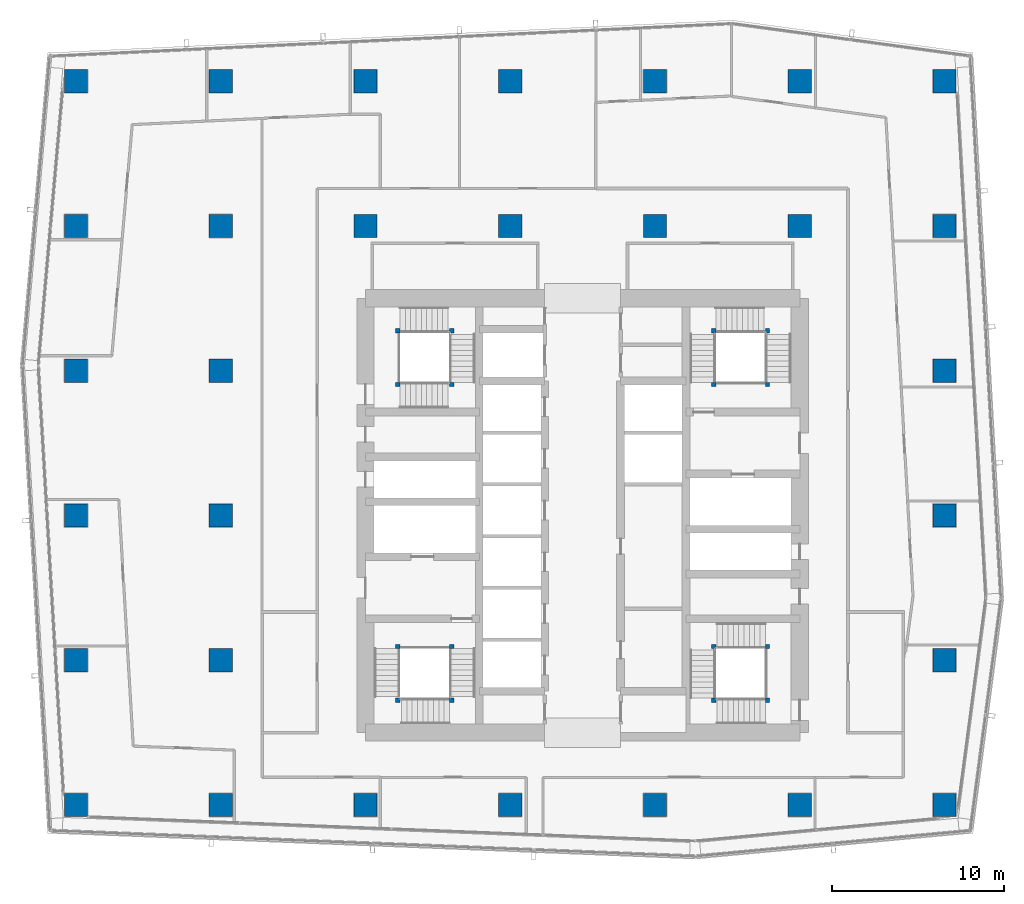
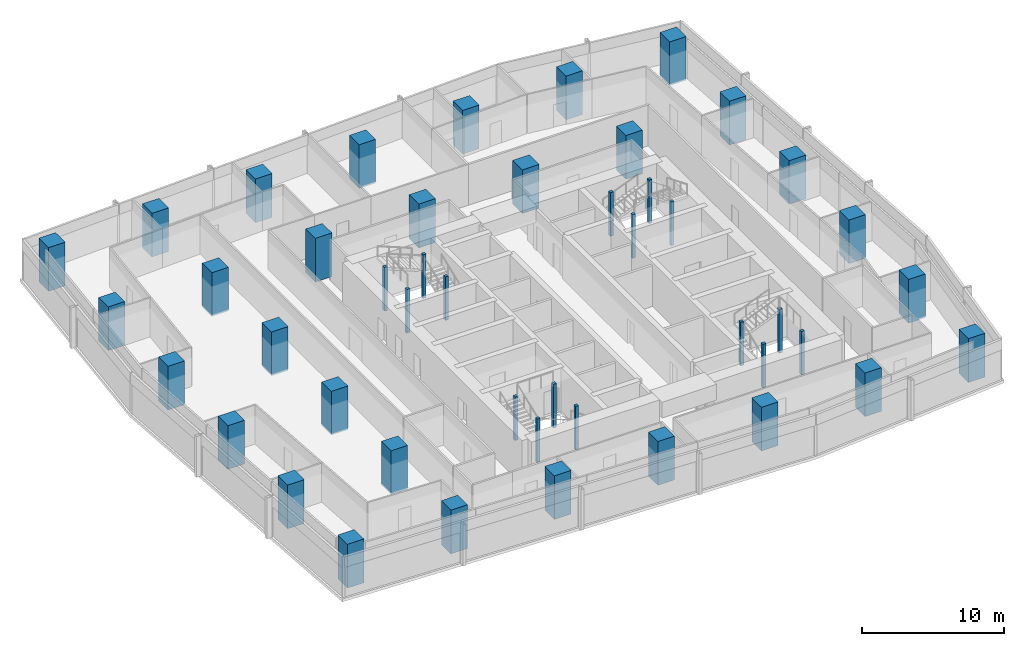
# One storey, part 1 of 38: 46 columns.
"""IFC4 building model written with IfcOpenShell, lengths in metres."""

from ifc_helpers import new_model, si_unit, direction, frame, origin, origin_2d, place, context, subcontext, project, spatial, rectangle, extrude, material, material_profile, profile_set, type_object, element, save


model = new_model("IFC4")

# Units and contexts
model_context = context("Model", 3, precision=1e-05, world=origin(), true_north=direction((0.0, 1.0)))
body_context = subcontext(model_context, "Body", "Model", "MODEL_VIEW")
ifc_project = project(units=[si_unit("LENGTHUNIT", "METRE"), si_unit("AREAUNIT", "SQUARE_METRE"), si_unit("VOLUMEUNIT", "CUBIC_METRE"), si_unit("PLANEANGLEUNIT", "RADIAN"), si_unit("MASSUNIT", "GRAM", prefix="KILO")], contexts=[model_context])

# Site, building, storey
site_placement = place(None, origin())
site = spatial("IfcSite", under=ifc_project, at=site_placement, CompositionType="ELEMENT")
building_placement = place(site_placement, origin())
building = spatial("IfcBuilding", under=site, at=building_placement, Name="Rekha Terrace Tower", CompositionType="ELEMENT")
storey_placement = place(building_placement, frame((0.0, 0.0, 202.699951171875)))
storey = spatial("IfcBuildingStorey", under=building, at=storey_placement, Name="L51", CompositionType="ELEMENT", Elevation=202.699951171875)

# Columns
ifc_material_1 = material(Name="Concrete M70", Category="concrete")
ifc_material_profile_1 = material_profile(ifc_material_1, rectangle(XDim=1.35009765625, YDim=1.35009765625, at=origin_2d()), Name="RC 1350x1350")
ifc_profile_set_1 = profile_set([ifc_material_profile_1], Name="Concrete M70")
column_type_1 = type_object("IfcColumnType", Name="C4 1350x1350 column", PredefinedType="COLUMN", material=ifc_profile_set_1)
for number, where, z_axis, x_axis, name in (
    (1, (8.39990234375, 16.800048828125, 0.0), (0.0, 0.0, 1.0), (1.0, 0.0, 0.0), "Column C4 2/C L51"),
    (2, (8.39990234375, 25.199951171875, 0.0), (0.0, 0.0, 1.0), (1.0, 0.0, 0.0), "Column C4 2/D L51"),
    (3, (8.39990234375, 33.60009765625, 0.0), (0.0, 0.0, 1.0), (1.0, 0.0, 0.0), "Column C4 2/E L51"),
    (4, (8.39990234375, 42.0, 0.0), (0.0, 0.0, 1.0), (1.0, 0.0, 0.0), "Column C4 2/F L51"),
    (5, (8.39990234375, 50.39990234375, 0.0), (0.0, 0.0, 1.0), (1.0, 0.0, 0.0), "Column C4 2/G L51"),
    (6, (8.39990234375, 58.800048828125, 0.0), (0.0, 0.0, 1.0), (1.0, 0.0, 0.0), "Column C4 2/H L51"),
    (7, (16.800048828125, 16.800048828125, 0.0), (0.0, 0.0, 1.0), (1.0, 0.0, 0.0), "Column C4 3/C L51"),
    (8, (16.800048828125, 25.199951171875, 0.0), (0.0, 0.0, 1.0), (1.0, 0.0, 0.0), "Column C4 3/D L51"),
    (9, (16.800048828125, 33.60009765625, 0.0), (0.0, 0.0, 1.0), (1.0, 0.0, 0.0), "Column C4 3/E L51"),
    (10, (16.800048828125, 42.0, 0.0), (0.0, 0.0, 1.0), (1.0, 0.0, 0.0), "Column C4 3/F L51"),
    (11, (16.800048828125, 50.39990234375, 0.0), (0.0, 0.0, 1.0), (1.0, 0.0, 0.0), "Column C4 3/G L51"),
    (12, (16.800048828125, 58.800048828125, 0.0), (0.0, 0.0, 1.0), (1.0, 0.0, 0.0), "Column C4 3/H L51"),
    (13, (25.199951171875, 16.800048828125, 0.0), (0.0, 0.0, 1.0), (1.0, 0.0, 0.0), "Column C4 4/C L51"),
    (14, (25.199951171875, 50.39990234375, 0.0), (0.0, 0.0, 1.0), (1.0, 0.0, 0.0), "Column C4 4/G L51"),
    (15, (25.199951171875, 58.800048828125, 0.0), (0.0, 0.0, 1.0), (1.0, 0.0, 0.0), "Column C4 4/H L51"),
    (16, (33.60009765625, 16.800048828125, 0.0), (0.0, 0.0, 1.0), (1.0, 0.0, 0.0), "Column C4 5/C L51"),
    (17, (33.60009765625, 50.39990234375, 0.0), (0.0, 0.0, 1.0), (1.0, 0.0, 0.0), "Column C4 5/G L51"),
    (18, (33.60009765625, 58.800048828125, 0.0), (0.0, 0.0, 1.0), (1.0, 0.0, 0.0), "Column C4 5/H L51"),
    (19, (42.0, 16.800048828125, 0.0), (0.0, 0.0, 1.0), (1.0, 0.0, 0.0), "Column C4 6/C L51"),
    (20, (42.0, 50.39990234375, 0.0), (0.0, 0.0, 1.0), (1.0, 0.0, 0.0), "Column C4 6/G L51"),
    (21, (42.0, 58.800048828125, 0.0), (0.0, 0.0, 1.0), (1.0, 0.0, 0.0), "Column C4 6/H L51"),
    (22, (50.39990234375, 16.800048828125, 0.0), (0.0, 0.0, 1.0), (1.0, 0.0, 0.0), "Column C4 7/C L51"),
    (23, (50.39990234375, 50.39990234375, 0.0), (0.0, 0.0, 1.0), (1.0, 0.0, 0.0), "Column C4 7/G L51"),
    (24, (50.39990234375, 58.800048828125, 0.0), (0.0, 0.0, 1.0), (1.0, 0.0, 0.0), "Column C4 7/H L51"),
    (25, (58.800048828125, 16.800048828125, 0.0), (0.0, 0.0, 1.0), (1.0, 0.0, 0.0), "Column C4 8/C L51"),
    (26, (58.800048828125, 25.199951171875, 0.0), (0.0, 0.0, 1.0), (1.0, 0.0, 0.0), "Column C4 8/D L51"),
    (27, (58.800048828125, 33.60009765625, 0.0), (0.0, 0.0, 1.0), (1.0, 0.0, 0.0), "Column C4 8/E L51"),
    (28, (58.800048828125, 42.0, 0.0), (0.0, 0.0, 1.0), (1.0, 0.0, 0.0), "Column C4 8/F L51"),
    (29, (58.800048828125, 50.39990234375, 0.0), (0.0, 0.0, 1.0), (1.0, 0.0, 0.0), "Column C4 8/G L51"),
    (30, (58.800048828125, 58.800048828125, 0.0), (0.0, 0.0, 1.0), (1.0, 0.0, 0.0), "Column C4 8/H L51"),
):
    element("IfcColumn", number, at=place(storey_placement, frame(where, z_axis=z_axis, x_axis=x_axis)), inside=storey, type_object=column_type_1, Name=name, PredefinedType="COLUMN", context=body_context, shape_type="SweptSolid", body=[
        extrude(rectangle(XDim=1.35009765625, YDim=1.35009765625, at=origin_2d()), origin(), (0.0, 0.0, 1.0), 3.75),
    ])
ifc_material_2 = material(Name="Concrete M60", Category="concrete")
ifc_material_profile_2 = material_profile(ifc_material_2, rectangle(XDim=0.25, YDim=0.25, at=origin_2d()), Name="RC 250x250")
ifc_profile_set_2 = profile_set([ifc_material_profile_2], Name="Concrete M60")
column_type_2 = type_object("IfcColumnType", Name="NP1 250x250 stair newel post", PredefinedType="COLUMN", material=ifc_profile_set_2)
for number, where, z_axis, x_axis, name in (
    (31, (30.199951171875, 26.0, 0.0), (0.0, 0.0, 1.0), (1.0, 0.0, 0.0), "Stair newel post NP1"),
    (32, (30.199951171875, 22.875, 0.0), (0.0, 0.0, 1.0), (1.0, 0.0, 0.0), "Stair newel post NP1"),
    (33, (27.074951171875, 22.875, 0.0), (0.0, 0.0, 1.0), (1.0, 0.0, 0.0), "Stair newel post NP1"),
    (34, (27.074951171875, 26.0, 0.0), (0.0, 0.0, 1.0), (1.0, 0.0, 0.0), "Stair newel post NP1"),
    (35, (45.39990234375, 41.199951171875, 0.0), (0.0, 0.0, 1.0), (1.0, 0.0, 0.0), "Stair newel post NP1"),
    (36, (45.39990234375, 44.324951171875, 0.0), (0.0, 0.0, 1.0), (1.0, 0.0, 0.0), "Stair newel post NP1"),
    (37, (48.52490234375, 44.324951171875, 0.0), (0.0, 0.0, 1.0), (1.0, 0.0, 0.0), "Stair newel post NP1"),
    (38, (48.52490234375, 41.199951171875, 0.0), (0.0, 0.0, 1.0), (1.0, 0.0, 0.0), "Stair newel post NP1"),
    (39, (48.52490234375, 22.875, 0.0), (0.0, 0.0, 1.0), (1.0, 0.0, 0.0), "Stair newel post NP1"),
    (40, (45.39990234375, 22.875, 0.0), (0.0, 0.0, 1.0), (1.0, 0.0, 0.0), "Stair newel post NP1"),
    (41, (45.39990234375, 26.0, 0.0), (0.0, 0.0, 1.0), (1.0, 0.0, 0.0), "Stair newel post NP1"),
    (42, (48.52490234375, 26.0, 0.0), (0.0, 0.0, 1.0), (1.0, 0.0, 0.0), "Stair newel post NP1"),
    (43, (27.074951171875, 41.199951171875, 0.0), (0.0, 0.0, 1.0), (1.0, 0.0, 0.0), "Stair newel post NP1"),
    (44, (30.199951171875, 41.199951171875, 0.0), (0.0, 0.0, 1.0), (1.0, 0.0, 0.0), "Stair newel post NP1"),
    (45, (30.199951171875, 44.324951171875, 0.0), (0.0, 0.0, 1.0), (1.0, 0.0, 0.0), "Stair newel post NP1"),
    (46, (27.074951171875, 44.324951171875, 0.0), (0.0, 0.0, 1.0), (1.0, 0.0, 0.0), "Stair newel post NP1"),
):
    element("IfcColumn", number, at=place(storey_placement, frame(where, z_axis=z_axis, x_axis=x_axis)), inside=storey, type_object=column_type_2, Name=name, PredefinedType="COLUMN", context=body_context, shape_type="SweptSolid", body=[
        extrude(rectangle(XDim=0.25, YDim=0.25, at=origin_2d()), origin(), (0.0, 0.0, 1.0), 3.75),
    ])

save(model, "model.ifc")
